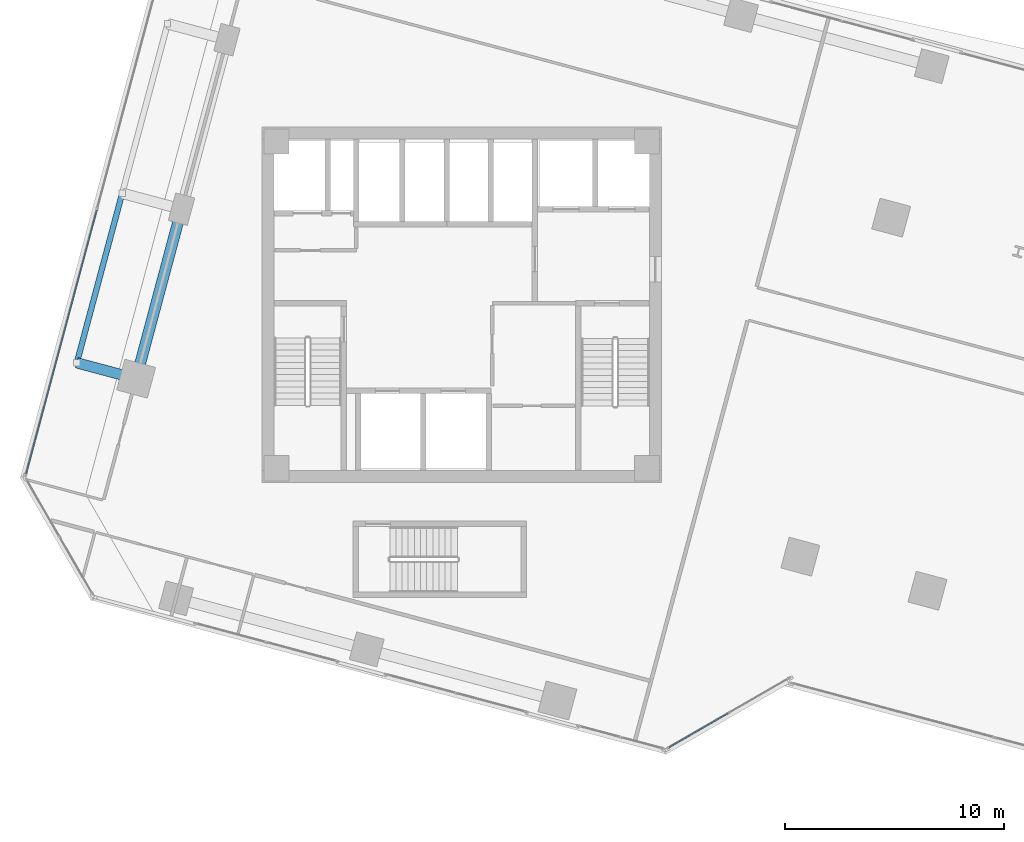
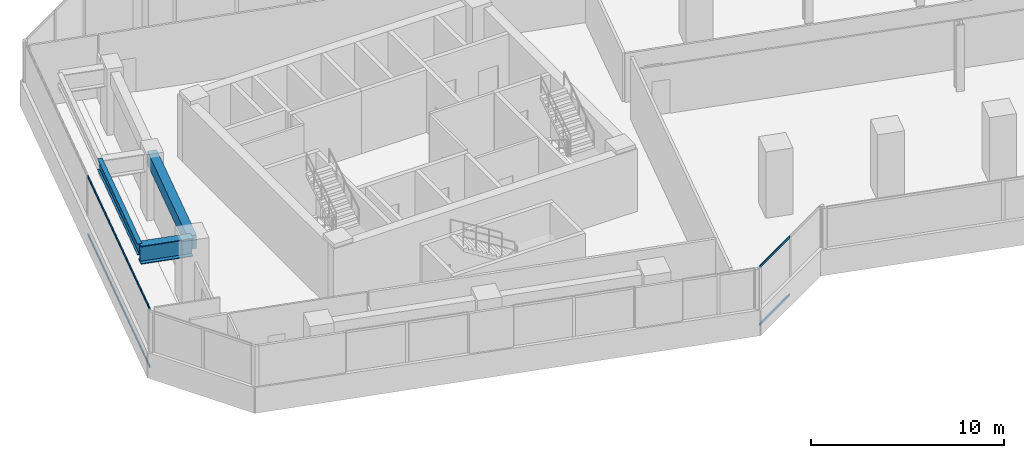
# One storey, part 5 of 26: 4 members, 3 beams, 2 elements without a shape of their own.
"""IFC4 building model written with IfcOpenShell, lengths in metres."""

import ifcopenshell
import ifcopenshell.guid

model = None  # the IFC model being written
_history = None  # IfcOwnerHistory: only IFC2X3 demands one
_inside = {}  # id of a spatial element -> (the spatial element, [elements in it])
_under = {}  # id of a project, library or spatial element -> (it, [spatial elements below it])
_declared = {}  # id of a project -> (the project, [libraries it declares])
_typed = {}  # id of a type object -> (the type object, [elements of that type])
_made_of = {}  # id of a material, layer set ... -> (it, [elements and type objects made of it])


def new_model(schema):
    """Start an empty IFC model of exactly this schema.

    Asked for "IFC4X3", IfcOpenShell would pick the latest addendum, in which some entities
    have other attributes; the version numbers below select the first issue.
    IFC2X3 requires an IfcOwnerHistory on every rooted entity: one is made here for all.
    """
    global model, _history
    if schema == "IFC4X3":
        model = ifcopenshell.file(schema_version=(4, 3, 0, 0))
    else:
        model = ifcopenshell.file(schema=schema)
    _inside.clear()
    _under.clear()
    _declared.clear()
    _typed.clear()
    _made_of.clear()
    _history = None
    if model.schema == "IFC2X3":
        org = make("IfcOrganization", Name="unknown")
        user = make(
            "IfcPersonAndOrganization",
            ThePerson=make("IfcPerson", FamilyName="unknown"),
            TheOrganization=org,
        )
        app = make(
            "IfcApplication",
            ApplicationDeveloper=org,
            Version="unknown",
            ApplicationFullName="unknown",
            ApplicationIdentifier="unknown",
        )
        _history = make(
            "IfcOwnerHistory",
            OwningUser=user,
            OwningApplication=app,
            ChangeAction="ADDED",
            CreationDate=0,
        )
    return model


def make(cls, **values):
    """One entity of the class cls with the attributes given. An attribute that is None is left unset."""
    return model.create_entity(
        cls, **{name: value for name, value in values.items() if value is not None}
    )


def rooted(cls, **values):
    """An entity with a GlobalId (a new one), such as an element, a storey or a relation."""
    return make(cls, GlobalId=ifcopenshell.guid.new(), OwnerHistory=_history, **values)


def si_unit(unit_type, name, prefix=None):
    """IfcSIUnit, for example si_unit("LENGTHUNIT", "METRE", prefix="MILLI")."""
    return make("IfcSIUnit", UnitType=unit_type, Prefix=prefix, Name=name)


def assignment(units):
    """IfcUnitAssignment: the units of a project."""
    return None if units is None else make("IfcUnitAssignment", Units=units)


def point(xyz):
    """IfcCartesianPoint."""
    return None if xyz is None else make("IfcCartesianPoint", Coordinates=xyz)


def direction(xyz):
    """IfcDirection."""
    return None if xyz is None else make("IfcDirection", DirectionRatios=xyz)


def frame(location, z_axis=None, x_axis=None):
    """IfcAxis2Placement3D, a coordinate frame: its origin and axes. An axis left out is left unset."""
    return make(
        "IfcAxis2Placement3D",
        Location=point(location),
        Axis=direction(z_axis),
        RefDirection=direction(x_axis),
    )


def frame_2d(location, x_axis=None):
    """IfcAxis2Placement2D, a coordinate frame in the plane: its origin and x axis."""
    return make(
        "IfcAxis2Placement2D", Location=point(location), RefDirection=direction(x_axis)
    )


def origin():
    """The frame at (0, 0, 0) with its axes left unset."""
    return frame((0.0, 0.0, 0.0))


def origin_2d():
    """The frame at (0, 0) in the plane with its x axis left unset."""
    return frame_2d((0.0, 0.0))


def place(relative_to, where):
    """IfcLocalPlacement: puts the frame where relative to a parent placement (None: the world)."""
    return make(
        "IfcLocalPlacement", PlacementRelTo=relative_to, RelativePlacement=where
    )


def context(
    kind, dimensions, precision=None, world=None, true_north=None, identifier=None
):
    """IfcGeometricRepresentationContext, for example the 3D "Model" context."""
    return make(
        "IfcGeometricRepresentationContext",
        ContextIdentifier=identifier,
        ContextType=kind,
        CoordinateSpaceDimension=dimensions,
        Precision=precision,
        WorldCoordinateSystem=world,
        TrueNorth=true_north,
    )


def subcontext(parent, identifier, kind, view, scale=None):
    """IfcGeometricRepresentationSubContext, for example "Body" below "Model"."""
    return make(
        "IfcGeometricRepresentationSubContext",
        ContextIdentifier=identifier,
        ContextType=kind,
        ParentContext=parent,
        TargetScale=scale,
        TargetView=view,
    )


def project(units=None, contexts=None):
    """IfcProject with its units and contexts."""
    return rooted(
        "IfcProject",
        Name="project",
        RepresentationContexts=contexts,
        UnitsInContext=assignment(units),
    )


def spatial(cls, under=None, at=None, **own):
    """A site, building, storey or space (cls), placed at a placement, below another one or the project."""
    s = rooted(cls, ObjectPlacement=at, **own)
    if under is not None:
        _under.setdefault(under.id(), (under, []))[1].append(s)
    return s


def profile(cls, at=None, kind="AREA", **sizes):
    """A parametric profile (cls). Its sizes go by their IFC names, for example OverallWidth=200.0."""
    return make(cls, ProfileType=kind, Position=at, **sizes)


def rectangle(**sizes):
    """IfcRectangleProfileDef."""
    return profile("IfcRectangleProfileDef", **sizes)


def hollow_rectangle(**sizes):
    """IfcRectangleHollowProfileDef."""
    return profile("IfcRectangleHollowProfileDef", **sizes)


def i_section(**sizes):
    """IfcIShapeProfileDef."""
    return profile("IfcIShapeProfileDef", **sizes)


def extrude(swept, where, along, depth):
    """IfcExtrudedAreaSolid: the profile swept, set in the frame where, extruded along a direction by depth."""
    return make(
        "IfcExtrudedAreaSolid",
        SweptArea=swept,
        Position=where,
        ExtrudedDirection=direction(along),
        Depth=depth,
    )


def shape(context_of_items, identifier, shape_type, items):
    """IfcShapeRepresentation: the items that make up one representation, for example the "Body"."""
    return make(
        "IfcShapeRepresentation",
        ContextOfItems=context_of_items,
        RepresentationIdentifier=identifier,
        RepresentationType=shape_type,
        Items=items,
    )


def source(mapping_origin, context_of_items, identifier, shape_type, items):
    """IfcRepresentationMap: a shape defined once, which mapped items show again and again."""
    return make(
        "IfcRepresentationMap",
        MappingOrigin=mapping_origin,
        MappedRepresentation=shape(context_of_items, identifier, shape_type, items),
    )


def transform(
    local_origin,
    x_axis=None,
    y_axis=None,
    z_axis=None,
    scale=None,
    scale2=None,
    scale3=None,
    uniform=True,
):
    """IfcCartesianTransformationOperator3D, or its non-uniform kind. x_axis, y_axis, z_axis: its Axis1, 2, 3."""
    if uniform:
        return make(
            "IfcCartesianTransformationOperator3D",
            Axis1=direction(x_axis),
            Axis2=direction(y_axis),
            LocalOrigin=point(local_origin),
            Scale=scale,
            Axis3=direction(z_axis),
        )
    return make(
        "IfcCartesianTransformationOperator3DnonUniform",
        Axis1=direction(x_axis),
        Axis2=direction(y_axis),
        LocalOrigin=point(local_origin),
        Scale=scale,
        Axis3=direction(z_axis),
        Scale2=scale2,
        Scale3=scale3,
    )


def mapped(mapping_source, mapping_target):
    """IfcMappedItem: shows the shape of a source again, moved by a transform."""
    return make(
        "IfcMappedItem", MappingSource=mapping_source, MappingTarget=mapping_target
    )


def material(Name=None, Category=None):
    """IfcMaterial."""
    return make("IfcMaterial", Name=Name, Category=Category)


def material_profile(
    of_material, cross_section, Name=None, Category=None, Priority=None
):
    """IfcMaterialProfile: a cross section and its material."""
    return make(
        "IfcMaterialProfile",
        Name=Name,
        Material=of_material,
        Profile=cross_section,
        Priority=Priority,
        Category=Category,
    )


def profile_set(profiles, Name=None, composite=None):
    """IfcMaterialProfileSet."""
    return make(
        "IfcMaterialProfileSet",
        Name=Name,
        MaterialProfiles=profiles,
        CompositeProfile=composite,
    )


def made_of(thing, what):
    """Note that an element or type object is made of a material, layer set ...; save() writes the relation."""
    if what is not None:
        _made_of.setdefault(what.id(), (what, []))[1].append(thing)
    return thing


def type_object(cls, material=None, **own):
    """A type object (cls), such as IfcWallType, which elements share."""
    return made_of(rooted(cls, **own), material)


def element(
    cls,
    number,
    at=None,
    inside=None,
    cuts=None,
    type_object=None,
    material=None,
    context=None,
    identifier="Body",
    shape_type=None,
    held_by="IfcProductDefinitionShape",
    body=None,
    shapes=None,
    **own,
):
    """One element of the class cls, such as IfcWall. Its Tag is "e" and its number.

    at: its placement. inside: the storey or other place that contains it. cuts: it is an
    opening in that element (IfcRelVoidsElement). A single representation is given by context,
    identifier, shape_type and body (its items); several are given by shapes. held_by: the class
    of the entity that holds the representations. save() writes the other relations.
    """
    e = rooted(cls, Tag="e%d" % number, ObjectPlacement=at, **own)
    if body is not None:
        shapes = [shape(context, identifier, shape_type, body)]
    if shapes is not None:
        e.Representation = make(held_by, Representations=shapes)
    if inside is not None:
        _inside.setdefault(inside.id(), (inside, []))[1].append(e)
    if cuts is not None:
        rooted(
            "IfcRelVoidsElement", RelatingBuildingElement=cuts, RelatedOpeningElement=e
        )
    if type_object is not None:
        _typed.setdefault(type_object.id(), (type_object, []))[1].append(e)
    return made_of(e, material)


def aggregate(whole, parts):
    """IfcRelAggregates: a whole, such as a stair, and the parts it consists of."""
    return rooted("IfcRelAggregates", RelatingObject=whole, RelatedObjects=parts)


def save(model, path):
    """Write the relations noted so far, then the file.

    IfcRelAggregates (storeys below a building ...), IfcRelContainedInSpatialStructure (elements
    in a storey), IfcRelDefinesByType, IfcRelAssociatesMaterial and IfcRelDeclares: one each for
    every whole, place, type object, material and project.
    """
    for whole, parts in _under.values():
        aggregate(whole, parts)
    for where, things in _inside.values():
        rooted(
            "IfcRelContainedInSpatialStructure",
            RelatedElements=things,
            RelatingStructure=where,
        )
    for kind, things in _typed.values():
        rooted("IfcRelDefinesByType", RelatedObjects=things, RelatingType=kind)
    for what, things in _made_of.values():
        rooted("IfcRelAssociatesMaterial", RelatedObjects=things, RelatingMaterial=what)
    for by, libraries in _declared.values():
        rooted("IfcRelDeclares", RelatingContext=by, RelatedDefinitions=libraries)
    model.write(path)


model = new_model("IFC4")

# Units and contexts
model_context = context("Model", 3, precision=1e-05, world=origin(), true_north=direction((0.0, 1.0)))
body_context = subcontext(model_context, "Body", "Model", "MODEL_VIEW")
ifc_project = project(units=[si_unit("LENGTHUNIT", "METRE"), si_unit("AREAUNIT", "SQUARE_METRE"), si_unit("VOLUMEUNIT", "CUBIC_METRE"), si_unit("PLANEANGLEUNIT", "RADIAN"), si_unit("MASSUNIT", "GRAM", prefix="KILO")], contexts=[model_context])

# Site, building, storey
site_placement = place(None, origin())
site = spatial("IfcSite", under=ifc_project, at=site_placement, CompositionType="ELEMENT")
building_placement = place(site_placement, origin())
building = spatial("IfcBuilding", under=site, at=building_placement, Name="Torre Montelarca", CompositionType="ELEMENT")
storey_placement = place(building_placement, frame((0.0, 0.0, 100.0)))
storey = spatial("IfcBuildingStorey", under=building, at=storey_placement, Name="L22", CompositionType="ELEMENT", Elevation=100.0)

# Beams
ifc_material_1 = material(Name="Concrete C55/67", Category="concrete")
ifc_material_profile_1 = material_profile(ifc_material_1, rectangle(XDim=0.5, YDim=0.85009765625, at=origin_2d()), Name="RCB500X850", Category="concrete")
ifc_profile_set_1 = profile_set([ifc_material_profile_1], Name="Concrete C55/67")
beam_type_1 = type_object("IfcBeamType", Name="BM-SP-RC850-EXT", PredefinedType="SPANDREL", material=ifc_profile_set_1)
shared_shape_1 = source(origin(), body_context, "Body", "SweptSolid", [
    extrude(rectangle(XDim=0.5, YDim=0.85009765625, at=origin_2d()), origin(), (0.0, 0.0, 1.0), 8.0),
])
beam_1_placement = place(storey_placement, frame((3.153564453125, 28.6337890625, 3.534912109375), z_axis=(0.258823034556, 0.965924757309, 0.0), x_axis=(-0.965924757309, 0.258823034556, 0.0)))
element("IfcBeam", 1, at=beam_1_placement, inside=storey, type_object=beam_type_1, Name="L22 Grid Girder Y 24.0-32.0 at X=4.7", PredefinedType="SPANDREL", context=body_context, shape_type="MappedRepresentation", body=[
    mapped(shared_shape_1, transform((0.0, 0.0, 0.0), scale=1.0)),
])
ifc_material_2 = material(Name="Steel ASTM A992 Grade 50", Category="steel")
ifc_material_profile_2 = material_profile(ifc_material_2, i_section(OverallWidth=0.256103515625, OverallDepth=0.693115234375, WebThickness=0.014404296875, FlangeThickness=0.023681640625, FilletRadius=0.01806640625, at=origin_2d()), Name="W690X170", Category="steel")
ifc_profile_set_2 = profile_set([ifc_material_profile_2], Name="Steel ASTM A992 Grade 50")
beam_type_2 = type_object("IfcBeamType", Name="BM-G-W690-EXT", PredefinedType="BEAM", material=ifc_profile_set_2)
shared_shape_2 = source(origin(), body_context, "Body", "SweptSolid", [
    extrude(i_section(OverallWidth=0.256103515625, OverallDepth=0.693115234375, WebThickness=0.014404296875, FlangeThickness=0.023681640625, FilletRadius=0.01806640625, at=origin_2d()), origin(), (0.0, 0.0, 1.0), 8.0),
])
beam_2_placement = place(storey_placement, frame((0.448974609375, 29.3583984375, 3.614013671875), z_axis=(0.258823034556, 0.965924757309, 0.0), x_axis=(-0.965924757309, 0.258823034556, 0.0)))
element("IfcBeam", 2, at=beam_2_placement, inside=storey, type_object=beam_type_2, Name="L22 Sliding Tray Edge Girder West 24.0-32.0m (FLR)", PredefinedType="BEAM", context=body_context, shape_type="MappedRepresentation", body=[
    mapped(shared_shape_2, transform((0.0, 0.0, 0.0), scale=1.0)),
])
ifc_material_3 = material(Name="Steel ASTM A572 Grade 50", Category="steel")
ifc_material_profile_3 = material_profile(ifc_material_3, i_section(OverallWidth=0.47998046875, OverallDepth=1.14990234375, WebThickness=0.02197265625, FlangeThickness=0.044921875, at=origin_2d()), Name="PG1150X480X22X45", Category="steel")
ifc_profile_set_3 = profile_set([ifc_material_profile_3], Name="Steel ASTM A572 Grade 50")
beam_type_3 = type_object("IfcBeamType", Name="BM-CG-PG1400-EXT", PredefinedType="USERDEFINED", material=ifc_profile_set_3)
shared_shape_3 = source(origin(), body_context, "Body", "SweptSolid", [
    extrude(i_section(OverallWidth=0.47998046875, OverallDepth=1.14990234375, WebThickness=0.02197265625, FlangeThickness=0.044921875, at=origin_2d()), origin(), (0.0, 0.0, 1.0), 2.800048828125),
])
beam_3_placement = place(storey_placement, frame((3.153564453125, 28.6337890625, 3.385009765625), z_axis=(-0.965933262516, 0.258791291131, 0.0), x_axis=(-0.258791291131, -0.965933262516, 0.0)))
element("IfcBeam", 3, at=beam_3_placement, inside=storey, type_object=beam_type_3, Name="L22 Sliding Tray Cantilever Girder West Y=24.0m (FLR)", ObjectType="CANTILEVER GIRDER", PredefinedType="USERDEFINED", context=body_context, shape_type="MappedRepresentation", body=[
    mapped(shared_shape_3, transform((0.0, 0.0, 0.0), scale=1.0)),
])

# Curtain wall, members
ifc_material_4 = material(Name="Insulated low-E laminated glass", Category="glass")
curtain_wall_type = type_object("IfcCurtainWallType", Name="CW-SYS-Z1", PredefinedType="USERDEFINED", material=ifc_material_4)
curtain_wall_1_placement = place(storey_placement, origin())
curtain_wall_1 = element("IfcCurtainWall", 4, at=curtain_wall_1_placement, inside=storey, type_object=curtain_wall_type, Name="L22 Curtain Wall Run CW-T3-L22-E02-B1", ObjectType="UNITISED GLAZING", PredefinedType="USERDEFINED")
ifc_material_5 = material(Name="Anodised aluminium AA 6063-T6", Category="aluminium")
ifc_material_profile_4 = material_profile(ifc_material_5, hollow_rectangle(XDim=0.06494140625, YDim=0.139892578125, WallThickness=0.00390625, InnerFilletRadius=0.00390625, OuterFilletRadius=0.008056640625, at=origin_2d()), Name="ALU65X140X4", Category="aluminium")
ifc_profile_set_4 = profile_set([ifc_material_profile_4], Name="Anodised aluminium AA 6063-T6")
member_type = type_object("IfcMemberType", Name="CWT-ALU140", PredefinedType="USERDEFINED", material=ifc_profile_set_4)
shared_shape_4 = source(origin(), body_context, "Body", "SweptSolid", [
    extrude(hollow_rectangle(XDim=0.06494140625, YDim=0.139892578125, WallThickness=0.00390625, InnerFilletRadius=0.00390625, OuterFilletRadius=0.008056640625, at=origin_2d()), origin(), (0.0, 0.0, 1.0), 3.1025390625),
])
member_1_placement = place(storey_placement, frame((27.452880859375, 11.826904296875, 0.032470703125), z_axis=(0.866016534331, 0.50001536203, 0.0), x_axis=(-0.50001536203, 0.866016534331, 0.0)))
member_1 = element("IfcMember", 5, at=member_1_placement, type_object=member_type, Name="CW transom 1.1", ObjectType="TRANSOM", PredefinedType="USERDEFINED", context=body_context, shape_type="MappedRepresentation", body=[
    mapped(shared_shape_4, transform((0.0, 0.0, 0.0), scale=1.0)),
])
member_2_placement = place(storey_placement, frame((27.452880859375, 11.826904296875, 3.6875), z_axis=(0.866016534331, 0.50001536203, 0.0), x_axis=(-0.50001536203, 0.866016534331, 0.0)))
member_2 = element("IfcMember", 6, at=member_2_placement, type_object=member_type, Name="CW transom 1.2", ObjectType="TRANSOM", PredefinedType="USERDEFINED", context=body_context, shape_type="MappedRepresentation", body=[
    mapped(shared_shape_4, transform((0.0, 0.0, 0.0), scale=1.0)),
])
aggregate(curtain_wall_1, [member_1, member_2])

curtain_wall_2_placement = place(storey_placement, origin())
curtain_wall_2 = element("IfcCurtainWall", 7, at=curtain_wall_2_placement, inside=storey, type_object=curtain_wall_type, Name="L22 Curtain Wall Run CW-T3-L22-E10-B1", ObjectType="UNITISED GLAZING", PredefinedType="USERDEFINED")
shared_shape_5 = source(origin(), body_context, "Body", "SweptSolid", [
    extrude(hollow_rectangle(XDim=0.06494140625, YDim=0.139892578125, WallThickness=0.00390625, InnerFilletRadius=0.00390625, OuterFilletRadius=0.008056640625, at=origin_2d()), origin(), (0.0, 0.0, 1.0), 12.436767578125),
])
member_3_placement = place(storey_placement, frame((1.363525390625, 36.32666015625, 0.032470703125), z_axis=(-0.258810985945, -0.965927985698, 0.0), x_axis=(0.965927985698, -0.258810985945, 0.0)))
member_3 = element("IfcMember", 8, at=member_3_placement, type_object=member_type, Name="CW transom 2.1", ObjectType="TRANSOM", PredefinedType="USERDEFINED", context=body_context, shape_type="MappedRepresentation", body=[
    mapped(shared_shape_5, transform((0.0, 0.0, 0.0), scale=1.0)),
])
member_4_placement = place(storey_placement, frame((1.363525390625, 36.32666015625, 3.6875), z_axis=(-0.258810985945, -0.965927985698, 0.0), x_axis=(0.965927985698, -0.258810985945, 0.0)))
member_4 = element("IfcMember", 9, at=member_4_placement, type_object=member_type, Name="CW transom 2.2", ObjectType="TRANSOM", PredefinedType="USERDEFINED", context=body_context, shape_type="MappedRepresentation", body=[
    mapped(shared_shape_5, transform((0.0, 0.0, 0.0), scale=1.0)),
])
aggregate(curtain_wall_2, [member_3, member_4])

save(model, "model.ifc")
